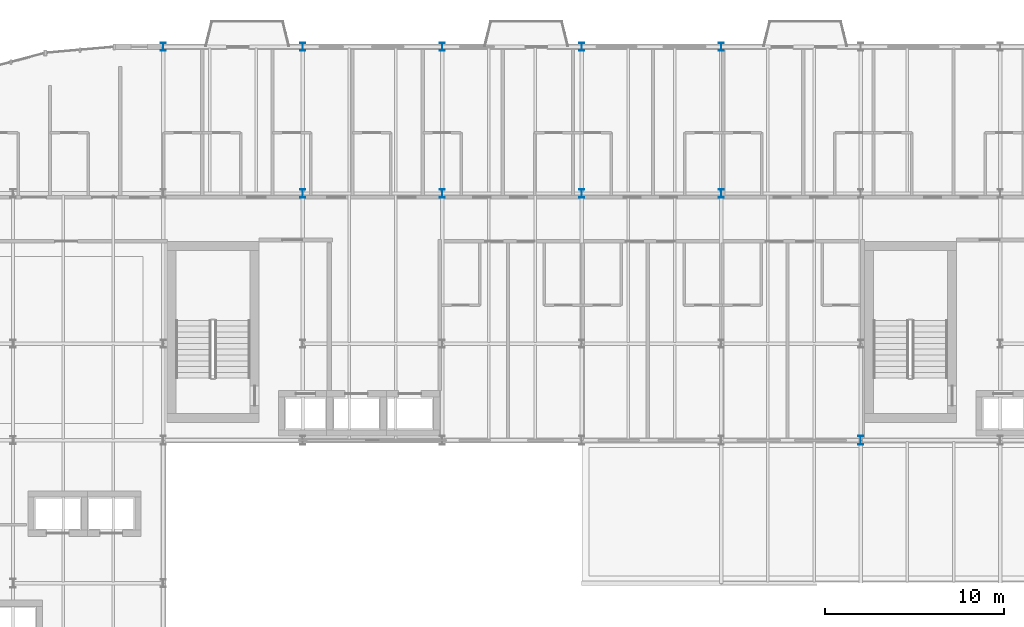
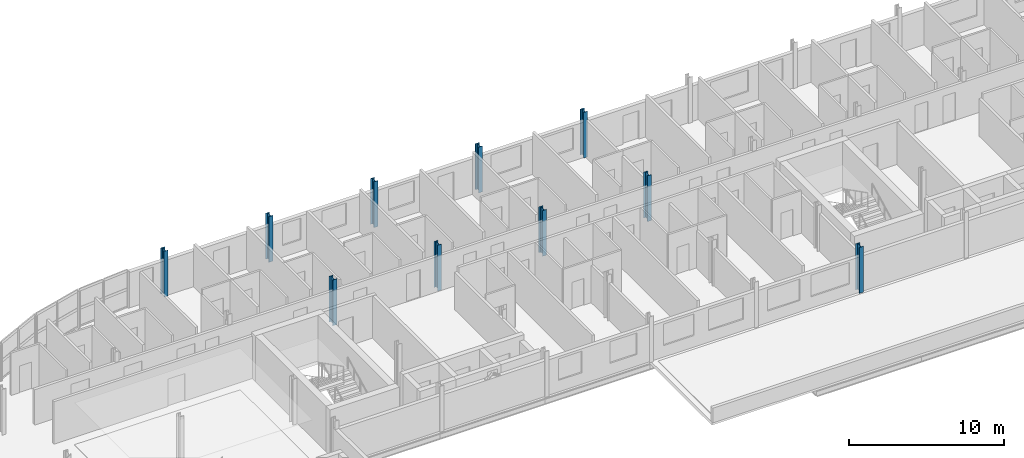
# One storey, part 3 of 36: 10 columns.
"""IFC4 building model written with IfcOpenShell, lengths in metres."""

from ifc_helpers import new_model, si_unit, direction, frame, origin, origin_2d, place, context, subcontext, project, spatial, i_section, extrude, material, material_profile, profile_set, type_object, element, save


model = new_model("IFC4")

# Units and contexts
model_context = context("Model", 3, precision=1e-05, world=origin(), true_north=direction((0.0, 1.0)))
body_context = subcontext(model_context, "Body", "Model", "MODEL_VIEW")
ifc_project = project(units=[si_unit("LENGTHUNIT", "METRE"), si_unit("AREAUNIT", "SQUARE_METRE"), si_unit("VOLUMEUNIT", "CUBIC_METRE"), si_unit("PLANEANGLEUNIT", "RADIAN"), si_unit("MASSUNIT", "GRAM", prefix="KILO")], contexts=[model_context])

# Site, building, storey
site_placement = place(None, origin())
site = spatial("IfcSite", under=ifc_project, at=site_placement, CompositionType="ELEMENT")
building_placement = place(site_placement, origin())
building = spatial("IfcBuilding", under=site, at=building_placement, Name="Sefraquen Railside Congress Hotel", CompositionType="ELEMENT")
storey_placement = place(building_placement, frame((0.0, 0.0, 24.60009765625)))
storey = spatial("IfcBuildingStorey", under=building, at=storey_placement, Name="L05", CompositionType="ELEMENT", Elevation=24.60009765625)

# Columns
ifc_material = material(Name="Steel S355JR", Category="steel")
ifc_material_profile_1 = material_profile(ifc_material, i_section(OverallWidth=0.300048828125, OverallDepth=0.449951171875, WebThickness=0.013916015625, FlangeThickness=0.02587890625, FilletRadius=0.027099609375, at=origin_2d()), Name="HEB 450")
ifc_profile_set_1 = profile_set([ifc_material_profile_1], Name="Steel S355JR")
column_type_1 = type_object("IfcColumnType", Name="TC-HEB-450", PredefinedType="COLUMN", material=ifc_profile_set_1)
for number, where, z_axis, x_axis, name in (
    (1, (25.199951171875, 118.0, 0.0), (0.0, 0.0, 1.0), (1.0, 0.0, 0.0), "Structural column 4-Q L05"),
    (2, (33.0, 118.0, 0.0), (0.0, 0.0, 1.0), (1.0, 0.0, 0.0), "Structural column 5-Q L05"),
    (3, (40.800048828125, 118.0, 0.0), (0.0, 0.0, 1.0), (1.0, 0.0, 0.0), "Structural column 6-Q L05"),
    (4, (48.60009765625, 118.0, 0.0), (0.0, 0.0, 1.0), (1.0, 0.0, 0.0), "Structural column 7-Q L05"),
    (5, (56.39990234375, 118.0, 0.0), (0.0, 0.0, 1.0), (1.0, 0.0, 0.0), "Structural column 8-Q L05"),
):
    element("IfcColumn", number, at=place(storey_placement, frame(where, z_axis=z_axis, x_axis=x_axis)), inside=storey, type_object=column_type_1, Name=name, PredefinedType="COLUMN", context=body_context, shape_type="SweptSolid", body=[
        extrude(i_section(OverallWidth=0.300048828125, OverallDepth=0.449951171875, WebThickness=0.013916015625, FlangeThickness=0.02587890625, FilletRadius=0.027099609375, at=origin_2d()), origin(), (0.0, 0.0, 1.0), 3.599853515625),
    ])
ifc_material_profile_2 = material_profile(ifc_material, i_section(OverallWidth=0.300048828125, OverallDepth=0.5, WebThickness=0.014404296875, FlangeThickness=0.028076171875, FilletRadius=0.027099609375, at=origin_2d()), Name="HEB 500")
ifc_profile_set_2 = profile_set([ifc_material_profile_2], Name="Steel S355JR")
column_type_2 = type_object("IfcColumnType", Name="TC-HEB-500", PredefinedType="COLUMN", material=ifc_profile_set_2)
for number, where, z_axis, x_axis, name in (
    (6, (33.0, 109.800048828125, 0.0), (0.0, 0.0, 1.0), (1.0, 0.0, 0.0), "Structural column 5-P L05"),
    (7, (40.800048828125, 109.800048828125, 0.0), (0.0, 0.0, 1.0), (1.0, 0.0, 0.0), "Structural column 6-P L05"),
    (8, (48.60009765625, 109.800048828125, 0.0), (0.0, 0.0, 1.0), (1.0, 0.0, 0.0), "Structural column 7-P L05"),
    (9, (56.39990234375, 109.800048828125, 0.0), (0.0, 0.0, 1.0), (1.0, 0.0, 0.0), "Structural column 8-P L05"),
    (10, (64.199951171875, 96.0, 0.0), (0.0, 0.0, 1.0), (1.0, 0.0, 0.0), "Structural column 9-M L05"),
):
    element("IfcColumn", number, at=place(storey_placement, frame(where, z_axis=z_axis, x_axis=x_axis)), inside=storey, type_object=column_type_2, Name=name, PredefinedType="COLUMN", context=body_context, shape_type="SweptSolid", body=[
        extrude(i_section(OverallWidth=0.300048828125, OverallDepth=0.5, WebThickness=0.014404296875, FlangeThickness=0.028076171875, FilletRadius=0.027099609375, at=origin_2d()), origin(), (0.0, 0.0, 1.0), 3.599853515625),
    ])

save(model, "model.ifc")
